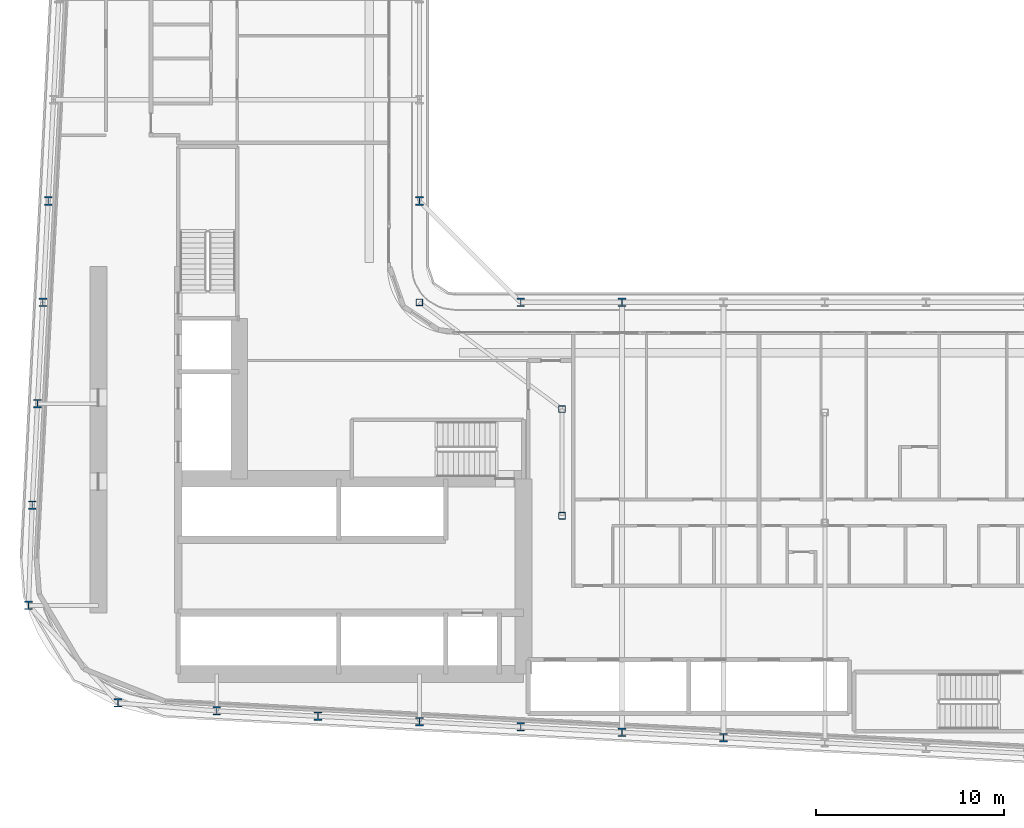
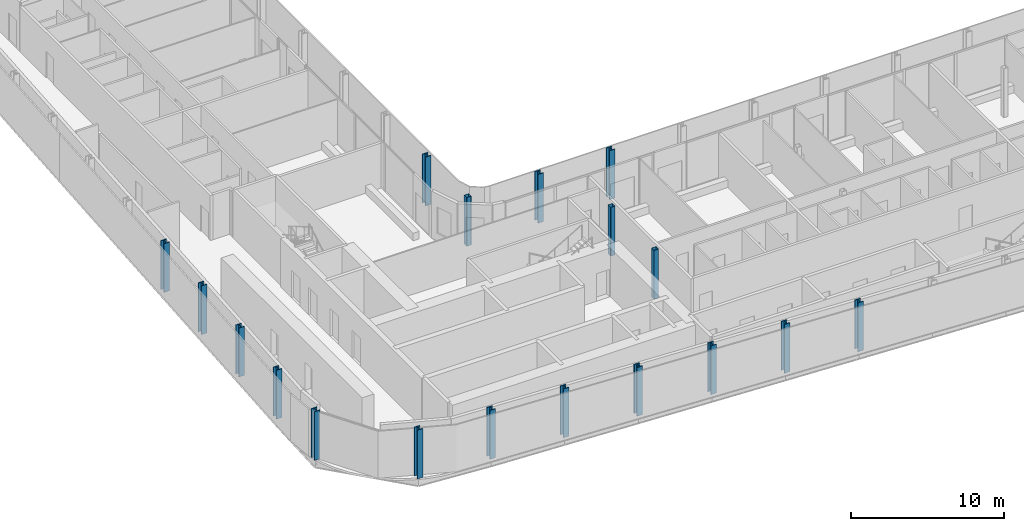
# One storey, part 1 of 28: 18 columns.
"""IFC4 building model written with IfcOpenShell, lengths in metres."""

from ifc_helpers import new_model, si_unit, direction, frame, origin, origin_2d, place, context, subcontext, project, spatial, hollow_rectangle, i_section, extrude, material, material_profile, profile_set, type_object, element, save


model = new_model("IFC4")

# Units and contexts
model_context = context("Model", 3, precision=1e-05, world=origin(), true_north=direction((0.0, 1.0)))
body_context = subcontext(model_context, "Body", "Model", "MODEL_VIEW")
ifc_project = project(units=[si_unit("LENGTHUNIT", "METRE"), si_unit("AREAUNIT", "SQUARE_METRE"), si_unit("VOLUMEUNIT", "CUBIC_METRE"), si_unit("PLANEANGLEUNIT", "RADIAN"), si_unit("MASSUNIT", "GRAM", prefix="KILO")], contexts=[model_context])

# Site, building, storey
site_placement = place(None, origin())
site = spatial("IfcSite", under=ifc_project, at=site_placement, CompositionType="ELEMENT")
building_placement = place(site_placement, origin())
building = spatial("IfcBuilding", under=site, at=building_placement, Name="Kheshtan School and Residences Tower", CompositionType="ELEMENT")
storey_placement = place(building_placement, frame((0.0, 0.0, 125.300048828125)))
storey = spatial("IfcBuildingStorey", under=building, at=storey_placement, Name="L29", CompositionType="ELEMENT", Elevation=125.300048828125)

# Columns
ifc_material_1 = material(Name="Steel ASTM A992 Grade 50", Category="steel")
ifc_material_profile_1 = material_profile(ifc_material_1, i_section(OverallWidth=0.41796875, OverallDepth=0.455078125, WebThickness=0.042236328125, FlangeThickness=0.067626953125, FilletRadius=0.013671875, at=origin_2d()), Name="W360x551")
ifc_profile_set_1 = profile_set([ifc_material_profile_1], Name="Steel ASTM A992 Grade 50")
column_type_1 = type_object("IfcColumnType", Name="Column C2 W360x551 ASTM A992 Grade 50", PredefinedType="COLUMN", material=ifc_profile_set_1)
for number, where, z_axis, x_axis, name in (
    (1, (63.800048828125, 22.410888671875, 0.0), (0.0, 0.0, 1.0), (1.0, 0.0, 0.0), "Column C016"),
    (2, (58.39990234375, 22.695068359375, 0.0), (0.0, 0.0, 1.0), (1.0, 0.0, 0.0), "Column C018"),
    (3, (53.0, 22.97998046875, 0.0), (0.0, 0.0, 1.0), (1.0, 0.0, 0.0), "Column C019"),
    (4, (47.60009765625, 23.263916015625, 0.0), (0.0, 0.0, 1.0), (1.0, 0.0, 0.0), "Column C020"),
    (5, (42.199951171875, 23.548095703125, 0.0), (0.0, 0.0, 1.0), (1.0, 0.0, 0.0), "Column C021"),
    (6, (36.800048828125, 23.83203125, 0.0), (0.0, 0.0, 1.0), (1.0, 0.0, 0.0), "Column C022"),
    (7, (31.5419921875, 24.257080078125, 0.0), (0.0, 0.0, 1.0), (1.0, 0.0, 0.0), "Column C025"),
    (8, (26.76904296875, 29.4541015625, 0.0), (0.0, 0.0, 1.0), (1.0, 0.0, 0.0), "Column C038"),
    (9, (26.968994140625, 34.800048828125, 0.0), (0.0, 0.0, 1.0), (1.0, 0.0, 0.0), "Column C052"),
    (10, (27.2529296875, 40.199951171875, 0.0), (0.0, 0.0, 1.0), (1.0, 0.0, 0.0), "Column C056"),
    (11, (27.537109375, 45.60009765625, 0.0), (0.0, 0.0, 1.0), (1.0, 0.0, 0.0), "Column C059"),
    (12, (53.0, 45.60009765625, 0.0), (0.0, 0.0, 1.0), (1.0, 0.0, 0.0), "Column C061"),
    (13, (58.39990234375, 45.60009765625, 0.0), (0.0, 0.0, 1.0), (1.0, 0.0, 0.0), "Column C062"),
    (14, (27.822021484375, 51.0, 0.0), (0.0, 0.0, 1.0), (1.0, 0.0, 0.0), "Column C078"),
    (15, (47.60009765625, 51.0, 0.0), (0.0, 0.0, 1.0), (1.0, 0.0, 0.0), "Column C079"),
):
    element("IfcColumn", number, at=place(storey_placement, frame(where, z_axis=z_axis, x_axis=x_axis)), inside=storey, type_object=column_type_1, Name=name, PredefinedType="COLUMN", context=body_context, shape_type="SweptSolid", body=[
        extrude(i_section(OverallWidth=0.41796875, OverallDepth=0.455078125, WebThickness=0.042236328125, FlangeThickness=0.067626953125, FilletRadius=0.013671875, at=origin_2d()), origin(), (0.0, 0.0, 1.0), 3.89990234375),
    ])
ifc_material_2 = material(Name="Steel ASTM A500 Grade C", Category="steel")
ifc_material_profile_2 = material_profile(ifc_material_2, hollow_rectangle(XDim=0.35595703125, YDim=0.35595703125, WallThickness=0.015869140625, InnerFilletRadius=0.015869140625, OuterFilletRadius=0.03173828125, at=origin_2d()), Name="HSS 356x356x15.9")
ifc_profile_set_2 = profile_set([ifc_material_profile_2], Name="Steel ASTM A500 Grade C")
column_type_2 = type_object("IfcColumnType", Name="Column IC1 HSS 356x356x15.9 ASTM A500 Grade C", PredefinedType="COLUMN", material=ifc_profile_set_2)
for number, where, z_axis, x_axis, name in (
    (16, (55.199951171875, 34.23193359375, 0.0), (0.0, 0.0, 1.0), (1.0, 0.0, 0.0), "Column C051"),
    (17, (55.199951171875, 39.916015625, 0.0), (0.0, 0.0, 1.0), (1.0, 0.0, 0.0), "Column C055"),
    (18, (47.60009765625, 45.60009765625, 0.0), (0.0, 0.0, 1.0), (1.0, 0.0, 0.0), "Column C060"),
):
    element("IfcColumn", number, at=place(storey_placement, frame(where, z_axis=z_axis, x_axis=x_axis)), inside=storey, type_object=column_type_2, Name=name, PredefinedType="COLUMN", context=body_context, shape_type="SweptSolid", body=[
        extrude(hollow_rectangle(XDim=0.35595703125, YDim=0.35595703125, WallThickness=0.015869140625, InnerFilletRadius=0.015869140625, OuterFilletRadius=0.03173828125, at=origin_2d()), origin(), (0.0, 0.0, 1.0), 3.89990234375),
    ])

save(model, "model.ifc")
